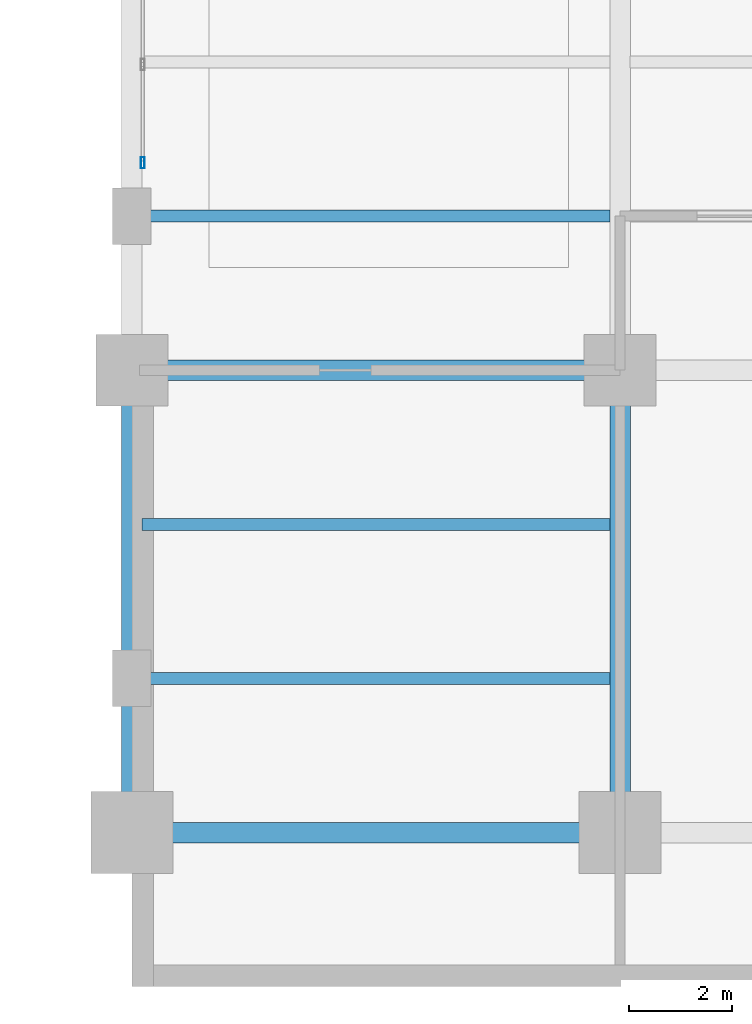
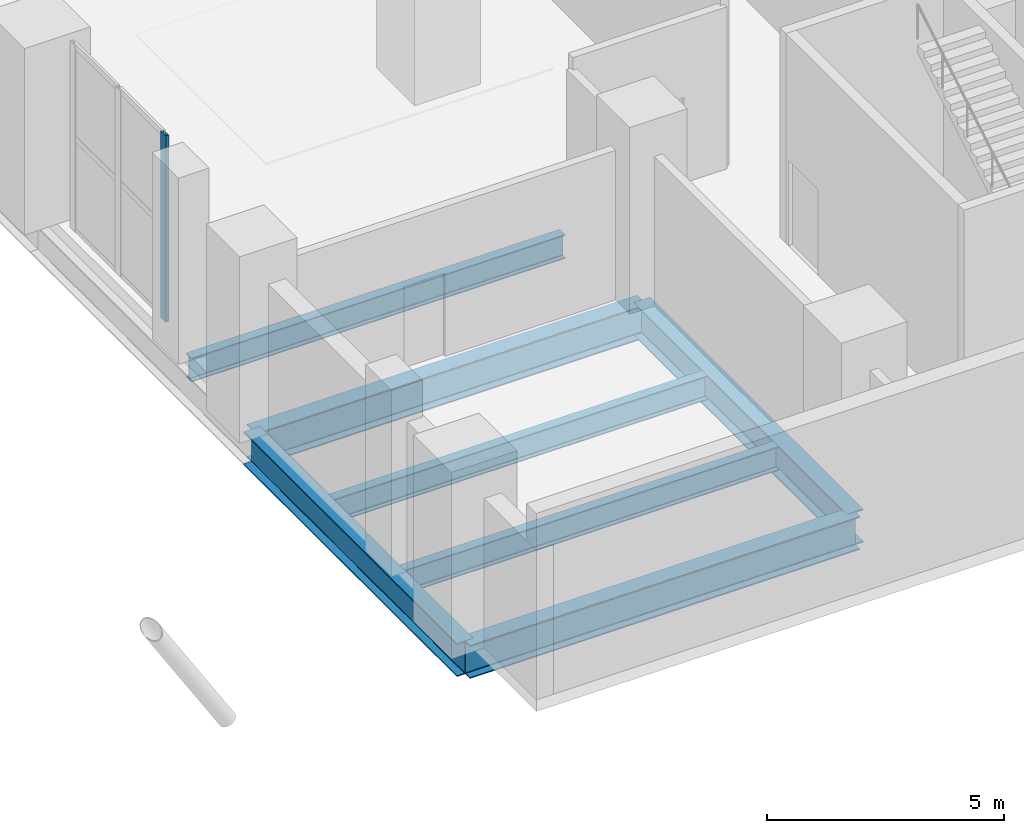
# One storey, part 3 of 13: 7 beams, 1 member, 1 element without a shape of its own.
"""IFC4 building model written with IfcOpenShell, lengths in metres."""

from ifc_helpers import new_model, si_unit, direction, frame, origin, origin_2d, place, context, subcontext, project, spatial, hollow_rectangle, i_section, extrude, material, layer, layer_set, material_profile, profile_set, type_object, element, aggregate, save


model = new_model("IFC4")

# Units and contexts
model_context = context("Model", 3, precision=1e-05, world=origin(), true_north=direction((0.0, 1.0)))
body_context = subcontext(model_context, "Body", "Model", "MODEL_VIEW")
ifc_project = project(units=[si_unit("LENGTHUNIT", "METRE"), si_unit("AREAUNIT", "SQUARE_METRE"), si_unit("VOLUMEUNIT", "CUBIC_METRE"), si_unit("PLANEANGLEUNIT", "RADIAN"), si_unit("MASSUNIT", "GRAM", prefix="KILO")], contexts=[model_context])

# Site, building, storey
site_placement = place(None, origin())
site = spatial("IfcSite", under=ifc_project, at=site_placement, CompositionType="ELEMENT")
building_placement = place(site_placement, origin())
building = spatial("IfcBuilding", under=site, at=building_placement, Name="Mawjdan Bourse Tower", CompositionType="ELEMENT")
storey_placement = place(building_placement, frame((0.0, 0.0, 10.800048828125)))
storey = spatial("IfcBuildingStorey", under=building, at=storey_placement, Name="L02", CompositionType="ELEMENT", Elevation=10.800048828125)

# Beams
ifc_material_1 = material(Name="Structural Steel S355", Category="steel")
ifc_material_profile_1 = material_profile(ifc_material_1, i_section(OverallWidth=0.39892578125, OverallDepth=0.85595703125, WebThickness=0.018310546875, FlangeThickness=0.029296875, FilletRadius=0.0234375, at=origin_2d()), Name="W33X201")
ifc_profile_set_1 = profile_set([ifc_material_profile_1], Name="Structural Steel S355")
beam_type_1 = type_object("IfcBeamType", Name="GRD-W33X201", PredefinedType="BEAM", material=ifc_profile_set_1)
for number, where, z_axis, x_axis, name in (
    (1, (51.0, 3.0, -0.72802734375), (0.0, 1.0, 0.0), (-1.0, 0.0, 0.0), "L02 Podium Primary Girder 026"),
    (2, (60.5, 3.0, -0.72802734375), (0.0, 1.0, 0.0), (-1.0, 0.0, 0.0), "L02 Podium Primary Girder 031"),
):
    element("IfcBeam", number, at=place(storey_placement, frame(where, z_axis=z_axis, x_axis=x_axis)), inside=storey, type_object=beam_type_1, Name=name, PredefinedType="BEAM", context=body_context, shape_type="SweptSolid", body=[
        extrude(i_section(OverallWidth=0.39892578125, OverallDepth=0.85595703125, WebThickness=0.018310546875, FlangeThickness=0.029296875, FilletRadius=0.0234375, at=origin_2d()), origin(), (0.0, 0.0, 1.0), 9.0),
    ])
for number, where, z_axis, x_axis, name in (
    (3, (51.0, 3.0, -0.72802734375), (1.0, 0.0, 0.0), (0.0, 1.0, 0.0), "L02 Podium Tie Girder 043"),
    (4, (51.0, 12.0, -0.72802734375), (1.0, 0.0, 0.0), (0.0, 1.0, 0.0), "L02 Podium Tie Girder 047"),
):
    element("IfcBeam", number, at=place(storey_placement, frame(where, z_axis=z_axis, x_axis=x_axis)), inside=storey, type_object=beam_type_1, Name=name, PredefinedType="BEAM", context=body_context, shape_type="SweptSolid", body=[
        extrude(i_section(OverallWidth=0.39892578125, OverallDepth=0.85595703125, WebThickness=0.018310546875, FlangeThickness=0.029296875, FilletRadius=0.0234375, at=origin_2d()), origin(), (0.0, 0.0, 1.0), 9.5),
    ])
ifc_material_profile_2 = material_profile(ifc_material_1, i_section(OverallWidth=0.22998046875, OverallDepth=0.616943359375, WebThickness=0.01318359375, FlangeThickness=0.022216796875, FilletRadius=0.017822265625, at=origin_2d()), Name="W24X94")
ifc_profile_set_2 = profile_set([ifc_material_profile_2], Name="Structural Steel S355")
beam_type_2 = type_object("IfcBeamType", Name="JST-W24X94", PredefinedType="JOIST", material=ifc_profile_set_2)
for number, where, z_axis, x_axis, name in (
    (5, (51.197509765625, 6.0, -0.608642578125), (1.0, 0.0, 0.0), (0.0, 1.0, 0.0), "L02 Composite Floor Joist 079"),
    (6, (51.197509765625, 9.0, -0.608642578125), (1.0, 0.0, 0.0), (0.0, 1.0, 0.0), "L02 Composite Floor Joist 082"),
    (7, (51.197509765625, 15.0, -0.608642578125), (1.0, 0.0, 0.0), (0.0, 1.0, 0.0), "L02 Composite Floor Joist 085"),
):
    element("IfcBeam", number, at=place(storey_placement, frame(where, z_axis=z_axis, x_axis=x_axis)), inside=storey, type_object=beam_type_2, Name=name, PredefinedType="JOIST", context=body_context, shape_type="SweptSolid", body=[
        extrude(i_section(OverallWidth=0.22998046875, OverallDepth=0.616943359375, WebThickness=0.01318359375, FlangeThickness=0.022216796875, FilletRadius=0.017822265625, at=origin_2d()), origin(), (0.0, 0.0, 1.0), 9.10498046875),
    ])

# Curtain wall, member
ifc_material_2 = material(Name="Thermally Broken Aluminium and Solar Glass", Category="aluminium")
ifc_layer = layer(ifc_material_2, 0.219970703125)
ifc_layer_set = layer_set([ifc_layer], Name="Thermally Broken Aluminium and Solar Glass")
curtain_wall_type = type_object("IfcCurtainWallType", Name="CW-ARCH", PredefinedType="USERDEFINED", material=ifc_layer_set)
curtain_wall_placement = place(storey_placement, origin())
curtain_wall = element("IfcCurtainWall", 8, at=curtain_wall_placement, inside=storey, type_object=curtain_wall_type, Name="L02 Giant Arch East Glazed Wall South", ObjectType="ARCHWAY GLAZED CURTAIN WALL", PredefinedType="USERDEFINED")
ifc_material_3 = material(Name="Thermally Broken Anodised Aluminium", Category="aluminium")
ifc_material_profile_3 = material_profile(ifc_material_3, hollow_rectangle(XDim=0.074951171875, YDim=0.219970703125, WallThickness=0.0048828125, at=origin_2d()), Name="ALU-MUL-220X75")
ifc_profile_set_3 = profile_set([ifc_material_profile_3], Name="Thermally Broken Anodised Aluminium")
member_type = type_object("IfcMemberType", Name="MUL-ALU-MUL-220X75", PredefinedType="MULLION", material=ifc_profile_set_3)
member_placement = place(storey_placement, frame((51.2099609375, 16.03759765625, 0.0), z_axis=(0.0, 0.0, 1.0), x_axis=(-1.0, 0.0, 0.0)))
member = element("IfcMember", 9, at=member_placement, type_object=member_type, Name="CW-ARCH-L02-ARCH-E1 mullion 1", PredefinedType="MULLION", context=body_context, shape_type="SweptSolid", body=[
    extrude(hollow_rectangle(XDim=0.074951171875, YDim=0.219970703125, WallThickness=0.0048828125, at=origin_2d()), origin(), (0.0, 0.0, 1.0), 4.800048828125),
])
aggregate(curtain_wall, [member])

save(model, "model.ifc")
